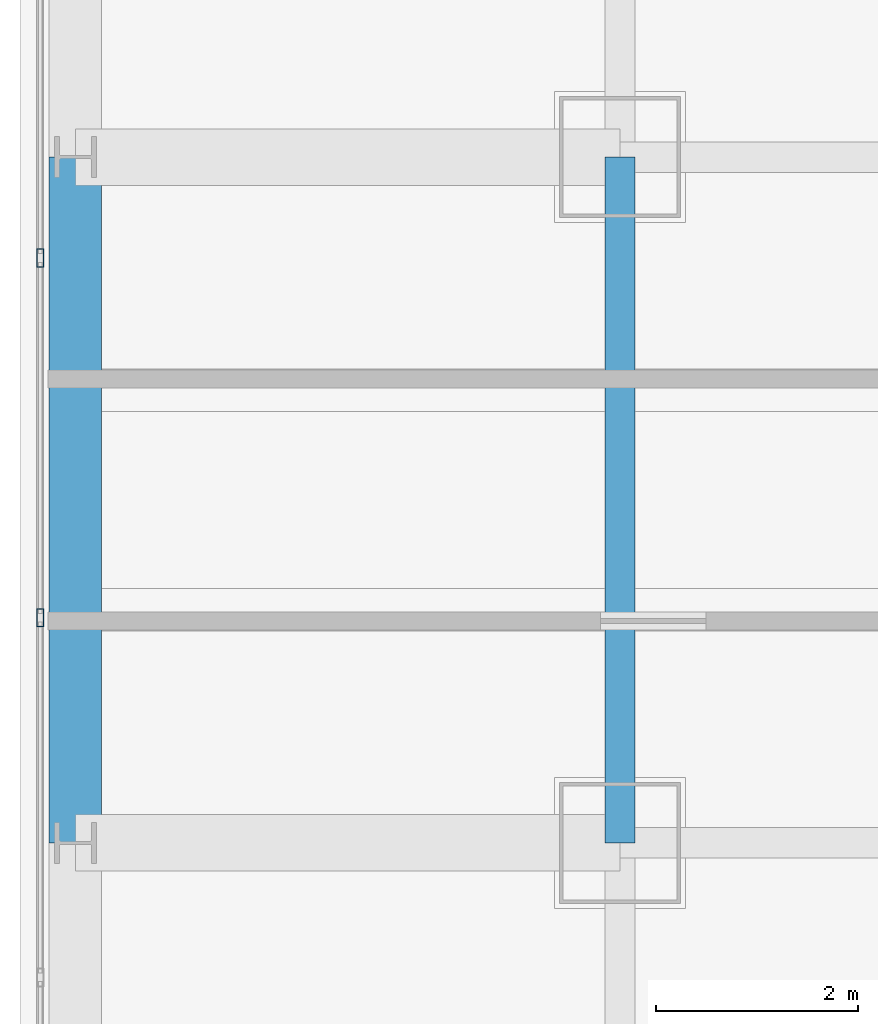
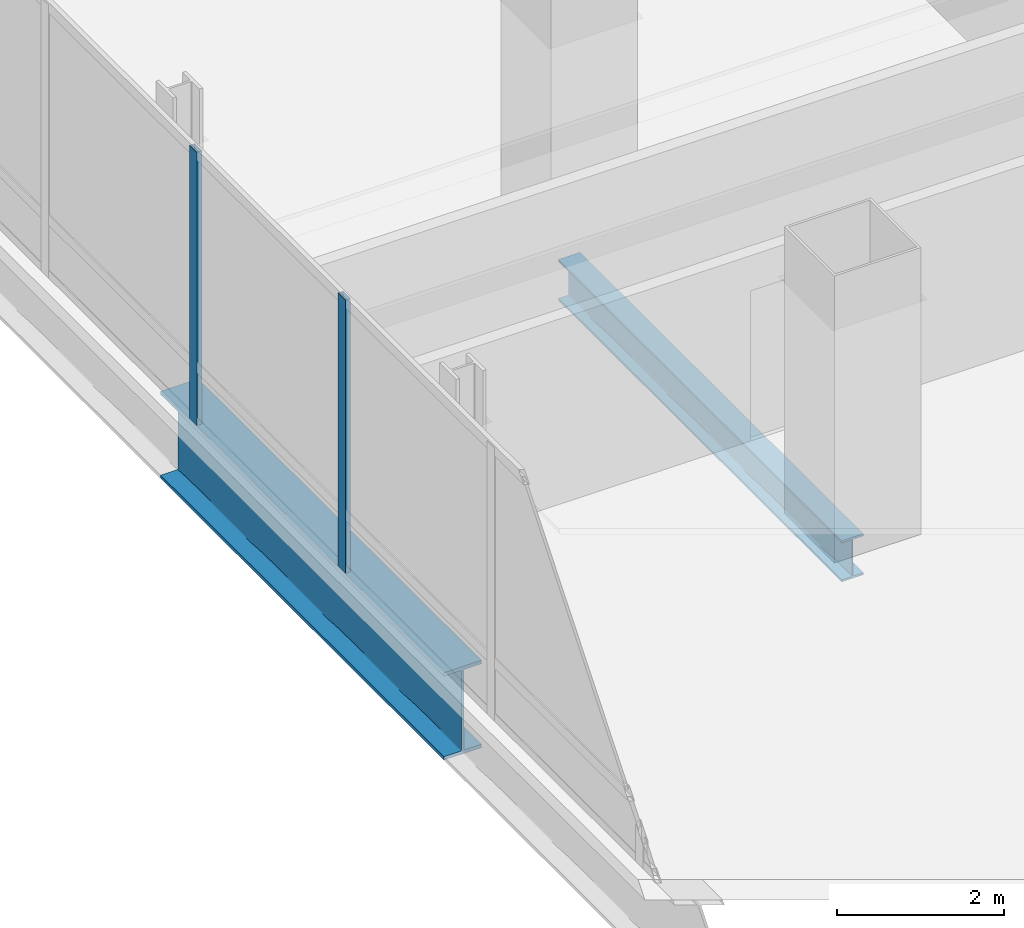
# One storey, part 10 of 43: 2 beams, 2 members, 1 element without a shape of its own.
"""IFC4 building model written with IfcOpenShell, lengths in metres."""

import ifcopenshell
import ifcopenshell.guid

model = None  # the IFC model being written
_history = None  # IfcOwnerHistory: only IFC2X3 demands one
_inside = {}  # id of a spatial element -> (the spatial element, [elements in it])
_under = {}  # id of a project, library or spatial element -> (it, [spatial elements below it])
_declared = {}  # id of a project -> (the project, [libraries it declares])
_typed = {}  # id of a type object -> (the type object, [elements of that type])
_made_of = {}  # id of a material, layer set ... -> (it, [elements and type objects made of it])


def new_model(schema):
    """Start an empty IFC model of exactly this schema.

    Asked for "IFC4X3", IfcOpenShell would pick the latest addendum, in which some entities
    have other attributes; the version numbers below select the first issue.
    IFC2X3 requires an IfcOwnerHistory on every rooted entity: one is made here for all.
    """
    global model, _history
    if schema == "IFC4X3":
        model = ifcopenshell.file(schema_version=(4, 3, 0, 0))
    else:
        model = ifcopenshell.file(schema=schema)
    _inside.clear()
    _under.clear()
    _declared.clear()
    _typed.clear()
    _made_of.clear()
    _history = None
    if model.schema == "IFC2X3":
        org = make("IfcOrganization", Name="unknown")
        user = make(
            "IfcPersonAndOrganization",
            ThePerson=make("IfcPerson", FamilyName="unknown"),
            TheOrganization=org,
        )
        app = make(
            "IfcApplication",
            ApplicationDeveloper=org,
            Version="unknown",
            ApplicationFullName="unknown",
            ApplicationIdentifier="unknown",
        )
        _history = make(
            "IfcOwnerHistory",
            OwningUser=user,
            OwningApplication=app,
            ChangeAction="ADDED",
            CreationDate=0,
        )
    return model


def make(cls, **values):
    """One entity of the class cls with the attributes given. An attribute that is None is left unset."""
    return model.create_entity(
        cls, **{name: value for name, value in values.items() if value is not None}
    )


def rooted(cls, **values):
    """An entity with a GlobalId (a new one), such as an element, a storey or a relation."""
    return make(cls, GlobalId=ifcopenshell.guid.new(), OwnerHistory=_history, **values)


def si_unit(unit_type, name, prefix=None):
    """IfcSIUnit, for example si_unit("LENGTHUNIT", "METRE", prefix="MILLI")."""
    return make("IfcSIUnit", UnitType=unit_type, Prefix=prefix, Name=name)


def assignment(units):
    """IfcUnitAssignment: the units of a project."""
    return None if units is None else make("IfcUnitAssignment", Units=units)


def point(xyz):
    """IfcCartesianPoint."""
    return None if xyz is None else make("IfcCartesianPoint", Coordinates=xyz)


def direction(xyz):
    """IfcDirection."""
    return None if xyz is None else make("IfcDirection", DirectionRatios=xyz)


def frame(location, z_axis=None, x_axis=None):
    """IfcAxis2Placement3D, a coordinate frame: its origin and axes. An axis left out is left unset."""
    return make(
        "IfcAxis2Placement3D",
        Location=point(location),
        Axis=direction(z_axis),
        RefDirection=direction(x_axis),
    )


def frame_2d(location, x_axis=None):
    """IfcAxis2Placement2D, a coordinate frame in the plane: its origin and x axis."""
    return make(
        "IfcAxis2Placement2D", Location=point(location), RefDirection=direction(x_axis)
    )


def origin():
    """The frame at (0, 0, 0) with its axes left unset."""
    return frame((0.0, 0.0, 0.0))


def origin_2d():
    """The frame at (0, 0) in the plane with its x axis left unset."""
    return frame_2d((0.0, 0.0))


def place(relative_to, where):
    """IfcLocalPlacement: puts the frame where relative to a parent placement (None: the world)."""
    return make(
        "IfcLocalPlacement", PlacementRelTo=relative_to, RelativePlacement=where
    )


def context(
    kind, dimensions, precision=None, world=None, true_north=None, identifier=None
):
    """IfcGeometricRepresentationContext, for example the 3D "Model" context."""
    return make(
        "IfcGeometricRepresentationContext",
        ContextIdentifier=identifier,
        ContextType=kind,
        CoordinateSpaceDimension=dimensions,
        Precision=precision,
        WorldCoordinateSystem=world,
        TrueNorth=true_north,
    )


def subcontext(parent, identifier, kind, view, scale=None):
    """IfcGeometricRepresentationSubContext, for example "Body" below "Model"."""
    return make(
        "IfcGeometricRepresentationSubContext",
        ContextIdentifier=identifier,
        ContextType=kind,
        ParentContext=parent,
        TargetScale=scale,
        TargetView=view,
    )


def project(units=None, contexts=None):
    """IfcProject with its units and contexts."""
    return rooted(
        "IfcProject",
        Name="project",
        RepresentationContexts=contexts,
        UnitsInContext=assignment(units),
    )


def spatial(cls, under=None, at=None, **own):
    """A site, building, storey or space (cls), placed at a placement, below another one or the project."""
    s = rooted(cls, ObjectPlacement=at, **own)
    if under is not None:
        _under.setdefault(under.id(), (under, []))[1].append(s)
    return s


def profile(cls, at=None, kind="AREA", **sizes):
    """A parametric profile (cls). Its sizes go by their IFC names, for example OverallWidth=200.0."""
    return make(cls, ProfileType=kind, Position=at, **sizes)


def hollow_rectangle(**sizes):
    """IfcRectangleHollowProfileDef."""
    return profile("IfcRectangleHollowProfileDef", **sizes)


def i_section(**sizes):
    """IfcIShapeProfileDef."""
    return profile("IfcIShapeProfileDef", **sizes)


def extrude(swept, where, along, depth):
    """IfcExtrudedAreaSolid: the profile swept, set in the frame where, extruded along a direction by depth."""
    return make(
        "IfcExtrudedAreaSolid",
        SweptArea=swept,
        Position=where,
        ExtrudedDirection=direction(along),
        Depth=depth,
    )


def shape(context_of_items, identifier, shape_type, items):
    """IfcShapeRepresentation: the items that make up one representation, for example the "Body"."""
    return make(
        "IfcShapeRepresentation",
        ContextOfItems=context_of_items,
        RepresentationIdentifier=identifier,
        RepresentationType=shape_type,
        Items=items,
    )


def material(Name=None, Category=None):
    """IfcMaterial."""
    return make("IfcMaterial", Name=Name, Category=Category)


def material_profile(
    of_material, cross_section, Name=None, Category=None, Priority=None
):
    """IfcMaterialProfile: a cross section and its material."""
    return make(
        "IfcMaterialProfile",
        Name=Name,
        Material=of_material,
        Profile=cross_section,
        Priority=Priority,
        Category=Category,
    )


def profile_set(profiles, Name=None, composite=None):
    """IfcMaterialProfileSet."""
    return make(
        "IfcMaterialProfileSet",
        Name=Name,
        MaterialProfiles=profiles,
        CompositeProfile=composite,
    )


def made_of(thing, what):
    """Note that an element or type object is made of a material, layer set ...; save() writes the relation."""
    if what is not None:
        _made_of.setdefault(what.id(), (what, []))[1].append(thing)
    return thing


def type_object(cls, material=None, **own):
    """A type object (cls), such as IfcWallType, which elements share."""
    return made_of(rooted(cls, **own), material)


def element(
    cls,
    number,
    at=None,
    inside=None,
    cuts=None,
    type_object=None,
    material=None,
    context=None,
    identifier="Body",
    shape_type=None,
    held_by="IfcProductDefinitionShape",
    body=None,
    shapes=None,
    **own,
):
    """One element of the class cls, such as IfcWall. Its Tag is "e" and its number.

    at: its placement. inside: the storey or other place that contains it. cuts: it is an
    opening in that element (IfcRelVoidsElement). A single representation is given by context,
    identifier, shape_type and body (its items); several are given by shapes. held_by: the class
    of the entity that holds the representations. save() writes the other relations.
    """
    e = rooted(cls, Tag="e%d" % number, ObjectPlacement=at, **own)
    if body is not None:
        shapes = [shape(context, identifier, shape_type, body)]
    if shapes is not None:
        e.Representation = make(held_by, Representations=shapes)
    if inside is not None:
        _inside.setdefault(inside.id(), (inside, []))[1].append(e)
    if cuts is not None:
        rooted(
            "IfcRelVoidsElement", RelatingBuildingElement=cuts, RelatedOpeningElement=e
        )
    if type_object is not None:
        _typed.setdefault(type_object.id(), (type_object, []))[1].append(e)
    return made_of(e, material)


def aggregate(whole, parts):
    """IfcRelAggregates: a whole, such as a stair, and the parts it consists of."""
    return rooted("IfcRelAggregates", RelatingObject=whole, RelatedObjects=parts)


def save(model, path):
    """Write the relations noted so far, then the file.

    IfcRelAggregates (storeys below a building ...), IfcRelContainedInSpatialStructure (elements
    in a storey), IfcRelDefinesByType, IfcRelAssociatesMaterial and IfcRelDeclares: one each for
    every whole, place, type object, material and project.
    """
    for whole, parts in _under.values():
        aggregate(whole, parts)
    for where, things in _inside.values():
        rooted(
            "IfcRelContainedInSpatialStructure",
            RelatedElements=things,
            RelatingStructure=where,
        )
    for kind, things in _typed.values():
        rooted("IfcRelDefinesByType", RelatedObjects=things, RelatingType=kind)
    for what, things in _made_of.values():
        rooted("IfcRelAssociatesMaterial", RelatedObjects=things, RelatingMaterial=what)
    for by, libraries in _declared.values():
        rooted("IfcRelDeclares", RelatingContext=by, RelatedDefinitions=libraries)
    model.write(path)


model = new_model("IFC4")

# Units and contexts
model_context = context("Model", 3, precision=1e-05, world=origin(), true_north=direction((0.0, 1.0)))
body_context = subcontext(model_context, "Body", "Model", "MODEL_VIEW")
ifc_project = project(units=[si_unit("LENGTHUNIT", "METRE"), si_unit("AREAUNIT", "SQUARE_METRE"), si_unit("VOLUMEUNIT", "CUBIC_METRE"), si_unit("PLANEANGLEUNIT", "RADIAN"), si_unit("MASSUNIT", "GRAM", prefix="KILO")], contexts=[model_context])

# Site, building, storey
site_placement = place(None, origin())
site = spatial("IfcSite", under=ifc_project, at=site_placement, CompositionType="ELEMENT")
building_placement = place(site_placement, origin())
building = spatial("IfcBuilding", under=site, at=building_placement, Name="Punatoya Terracotta Tower", CompositionType="ELEMENT")
storey_placement = place(building_placement, frame((0.0, 0.0, 300.60009765625)))
storey = spatial("IfcBuildingStorey", under=building, at=storey_placement, Name="L71", CompositionType="ELEMENT", Elevation=300.60009765625)

# Beams
ifc_material_1 = material(Name="Steel S355", Category="steel")
ifc_material_profile_1 = material_profile(ifc_material_1, i_section(OverallWidth=0.300048828125, OverallDepth=0.60009765625, WebThickness=0.015380859375, FlangeThickness=0.030029296875, FilletRadius=0.01806640625, at=origin_2d()))
ifc_profile_set_1 = profile_set([ifc_material_profile_1], Name="Steel S355")
beam_type_1 = type_object("IfcBeamType", Name="BM-PRI-600", PredefinedType="BEAM", material=ifc_profile_set_1)
beam_1_placement = place(storey_placement, frame((-19.10009765625, -3.39990234375, -0.5), z_axis=(0.0, 1.0, 0.0), x_axis=(-1.0, 0.0, 0.0)))
element("IfcBeam", 1, at=beam_1_placement, inside=storey, type_object=beam_type_1, Name="BM-L71-RG-W2", PredefinedType="BEAM", context=body_context, shape_type="SweptSolid", body=[
    extrude(i_section(OverallWidth=0.300048828125, OverallDepth=0.60009765625, WebThickness=0.015380859375, FlangeThickness=0.030029296875, FilletRadius=0.01806640625, at=origin_2d()), origin(), (0.0, 0.0, 1.0), 6.7998046875),
])
ifc_material_2 = material(Name="Steel S460", Category="steel")
ifc_material_profile_2 = material_profile(ifc_material_2, i_section(OverallWidth=0.52001953125, OverallDepth=1.280029296875, WebThickness=0.031982421875, FlangeThickness=0.050048828125, FilletRadius=0.01806640625, at=origin_2d()))
ifc_profile_set_2 = profile_set([ifc_material_profile_2], Name="Steel S460")
beam_type_2 = type_object("IfcBeamType", Name="BM-TG-NCK", PredefinedType="BEAM", material=ifc_profile_set_2)
beam_2_placement = place(storey_placement, frame((-24.5, -3.39990234375, -0.840087890625), z_axis=(0.0, 1.0, 0.0), x_axis=(-1.0, 0.0, 0.0)))
element("IfcBeam", 2, at=beam_2_placement, inside=storey, type_object=beam_type_2, Name="BM-L71-PER-W2", PredefinedType="BEAM", context=body_context, shape_type="SweptSolid", body=[
    extrude(i_section(OverallWidth=0.52001953125, OverallDepth=1.280029296875, WebThickness=0.031982421875, FlangeThickness=0.050048828125, FilletRadius=0.01806640625, at=origin_2d()), origin(), (0.0, 0.0, 1.0), 6.7998046875),
])

# Curtain wall, members
ifc_material_3 = material(Name="Aluminium 6063-T6 + Double Low-E Glass", Category="aluminium")
curtain_wall_type = type_object("IfcCurtainWallType", Name="CW-M3", PredefinedType="NOTDEFINED", material=ifc_material_3)
curtain_wall_placement = place(storey_placement, origin())
curtain_wall = element("IfcCurtainWall", 3, at=curtain_wall_placement, inside=storey, type_object=curtain_wall_type, Name="L71 Curtain Wall CW-L71-W13-1", PredefinedType="NOTDEFINED")
ifc_material_4 = material(Name="Aluminium 6063-T6", Category="aluminium")
ifc_material_profile_3 = material_profile(ifc_material_4, hollow_rectangle(XDim=0.070068359375, YDim=0.179931640625, WallThickness=0.00390625, at=origin_2d()))
ifc_profile_set_3 = profile_set([ifc_material_profile_3], Name="Aluminium 6063-T6")
member_type = type_object("IfcMemberType", Name="CW-MUL-M3", PredefinedType="MULLION", material=ifc_profile_set_3)
member_1_placement = place(storey_placement, frame((-24.85009765625, 2.39990234375, 0.0), z_axis=(0.0, 0.0, 1.0), x_axis=(1.0, 0.0, 0.0)))
member_1 = element("IfcMember", 4, at=member_1_placement, type_object=member_type, Name="CW-L71-W13-1 Mullion 05", PredefinedType="MULLION", context=body_context, shape_type="SweptSolid", body=[
    extrude(hollow_rectangle(XDim=0.070068359375, YDim=0.179931640625, WallThickness=0.00390625, at=origin_2d()), origin(), (0.0, 0.0, 1.0), 4.0),
])
member_2_placement = place(storey_placement, frame((-24.85009765625, -1.16748046875, 0.0), z_axis=(0.0, 0.0, 1.0), x_axis=(1.0, 0.0, 0.0)))
member_2 = element("IfcMember", 5, at=member_2_placement, type_object=member_type, Name="CW-L71-W13-1 Mullion 06", PredefinedType="MULLION", context=body_context, shape_type="SweptSolid", body=[
    extrude(hollow_rectangle(XDim=0.070068359375, YDim=0.179931640625, WallThickness=0.00390625, at=origin_2d()), origin(), (0.0, 0.0, 1.0), 4.0),
])
aggregate(curtain_wall, [member_1, member_2])

save(model, "model.ifc")
